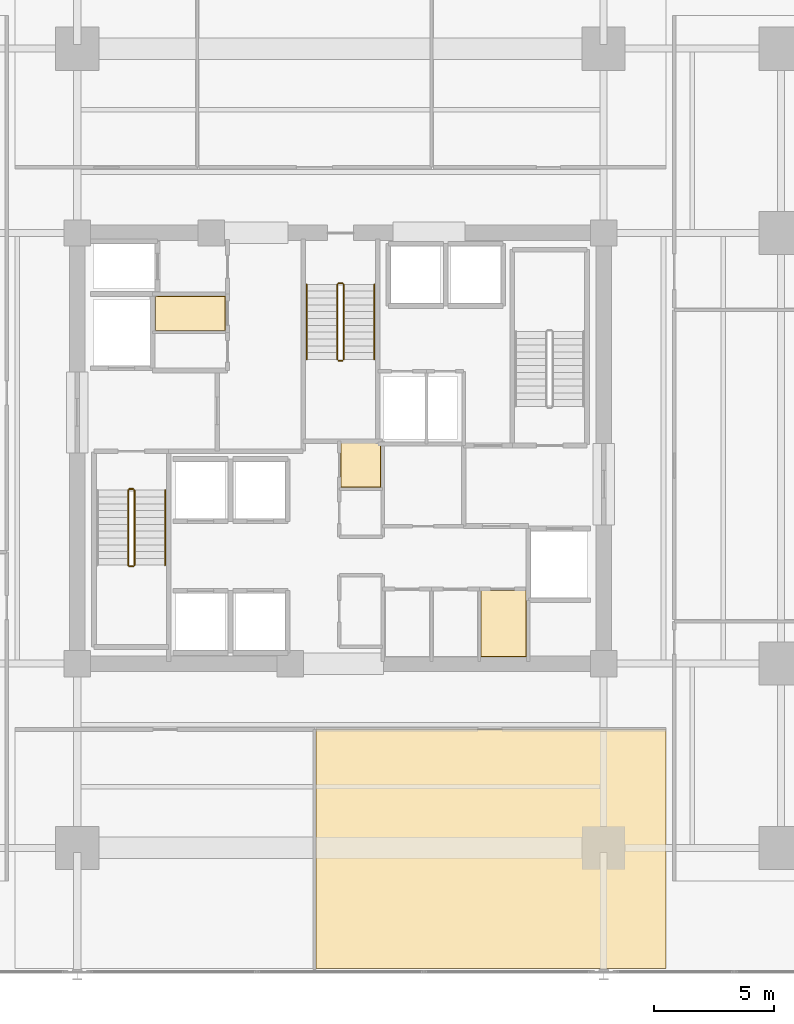
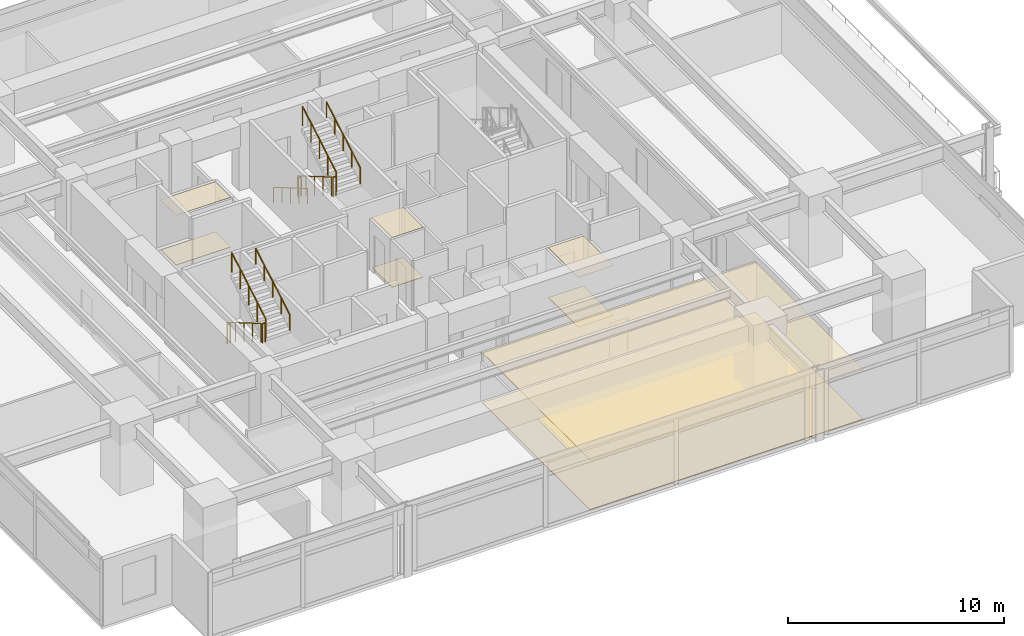
# One storey, part 18 of 20: 11 railings, 8 coverings.
"""IFC4 building model written with IfcOpenShell, lengths in metres."""

from ifc_helpers import new_model, si_unit, direction, frame, origin, origin_2d, place, context, subcontext, project, spatial, polyline, circle, outline, extrude, material, layer, layer_set, type_object, element, save


model = new_model("IFC4")

# Units and contexts
model_context = context("Model", 3, precision=1e-05, world=origin(), true_north=direction((0.0, 1.0)))
body_context = subcontext(model_context, "Body", "Model", "MODEL_VIEW")
ifc_project = project(units=[si_unit("LENGTHUNIT", "METRE"), si_unit("AREAUNIT", "SQUARE_METRE"), si_unit("VOLUMEUNIT", "CUBIC_METRE"), si_unit("PLANEANGLEUNIT", "RADIAN"), si_unit("MASSUNIT", "GRAM", prefix="KILO")], contexts=[model_context])

# Site, building, storey
site_placement = place(None, origin())
site = spatial("IfcSite", under=ifc_project, at=site_placement, CompositionType="ELEMENT")
building_placement = place(site_placement, origin())
building = spatial("IfcBuilding", under=site, at=building_placement, Name="Kovane Verandah Tower", CompositionType="ELEMENT")
storey_placement = place(building_placement, frame((0.0, 0.0, 39.60009765625)))
storey = spatial("IfcBuildingStorey", under=building, at=storey_placement, Name="L08", CompositionType="ELEMENT", Elevation=39.60009765625)

# Coverings
ifc_material_1 = material(Name="Perforated Acoustic Mineral-Fibre Ceiling Tile", Category="gypsum")
ifc_layer_1 = layer(ifc_material_1, 0.02490234375)
ifc_layer_set_1 = layer_set([ifc_layer_1], Name="Perforated Acoustic Mineral-Fibre Ceiling Tile")
covering_type_1 = type_object("IfcCoveringType", Name="CV-CEIL-25", PredefinedType="CEILING", material=ifc_layer_set_1)
covering_1_placement = place(storey_placement, frame((0.0, 0.0, 2.824951171875)))
element("IfcCovering", 1, at=covering_1_placement, inside=storey, type_object=covering_type_1, Name="L08 Quiet Wellness Room Acoustic Ceiling", PredefinedType="CEILING", context=body_context, shape_type="SweptSolid", body=[
    extrude(outline(polyline([(45.864990234375, 18.784912109375), (47.764892578125, 18.784912109375), (47.764892578125, 21.56494140625), (45.864990234375, 21.56494140625), (45.864990234375, 18.784912109375)])), origin(), (0.0, 0.0, 1.0), 0.02490234375),
])
covering_2_placement = place(storey_placement, frame((0.0, 0.0, 2.824951171875)))
element("IfcCovering", 2, at=covering_2_placement, inside=storey, type_object=covering_type_1, Name="L08 North-West First Aid Room Acoustic Ceiling", PredefinedType="CEILING", context=body_context, shape_type="SweptSolid", body=[
    extrude(outline(polyline([(32.264892578125, 32.4150390625), (35.195068359375, 32.4150390625), (35.195068359375, 33.864990234375), (32.264892578125, 33.864990234375), (32.264892578125, 32.4150390625)])), origin(), (0.0, 0.0, 1.0), 0.02490234375),
])
covering_3_placement = place(storey_placement, frame((0.0, 0.0, 2.824951171875)))
element("IfcCovering", 3, at=covering_3_placement, inside=storey, type_object=covering_type_1, Name="L08 Central First Aid and Wellness Room Acoustic Ceiling", PredefinedType="CEILING", context=body_context, shape_type="SweptSolid", body=[
    extrude(outline(polyline([(40.0048828125, 25.864990234375), (41.695068359375, 25.864990234375), (41.695068359375, 27.735107421875), (40.0048828125, 27.735107421875), (40.0048828125, 25.864990234375)])), origin(), (0.0, 0.0, 1.0), 0.02490234375),
])
covering_4_placement = place(storey_placement, frame((0.0, 0.0, 2.824951171875)))
element("IfcCovering", 4, at=covering_4_placement, inside=storey, type_object=covering_type_1, Name="L08 Breakout Pantry S2 Acoustic Ceiling", PredefinedType="CEILING", context=body_context, shape_type="SweptSolid", body=[
    extrude(outline(polyline([(38.98193359375, 5.767822265625), (53.60009765625, 5.767822265625), (53.60009765625, 15.75), (38.98193359375, 15.75), (38.98193359375, 5.767822265625)])), origin(), (0.0, 0.0, 1.0), 0.02490234375),
])
ifc_material_2 = material(Name="Polished Terrazzo and Raised-Access Carpet Tile Finish", Category="concrete")
ifc_layer_2 = layer(ifc_material_2, 0.030029296875)
ifc_layer_set_2 = layer_set([ifc_layer_2], Name="Polished Terrazzo and Raised-Access Carpet Tile Finish")
covering_type_2 = type_object("IfcCoveringType", Name="CV-FLOR-30", PredefinedType="FLOORING", material=ifc_layer_set_2)
covering_5_placement = place(storey_placement, origin())
element("IfcCovering", 5, at=covering_5_placement, inside=storey, type_object=covering_type_2, Name="L08 Quiet Wellness Room Floor Finish", PredefinedType="FLOORING", context=body_context, shape_type="SweptSolid", body=[
    extrude(outline(polyline([(45.8798828125, 18.800048828125), (47.75, 18.800048828125), (47.75, 21.550048828125), (45.8798828125, 21.550048828125), (45.8798828125, 18.800048828125)])), origin(), (0.0, 0.0, 1.0), 0.02978515625),
])
covering_6_placement = place(storey_placement, origin())
element("IfcCovering", 6, at=covering_6_placement, inside=storey, type_object=covering_type_2, Name="L08 North-West First Aid Room Floor Finish", PredefinedType="FLOORING", context=body_context, shape_type="SweptSolid", body=[
    extrude(outline(polyline([(32.280029296875, 32.429931640625), (35.179931640625, 32.429931640625), (35.179931640625, 33.85009765625), (32.280029296875, 33.85009765625), (32.280029296875, 32.429931640625)])), origin(), (0.0, 0.0, 1.0), 0.02978515625),
])
covering_7_placement = place(storey_placement, origin())
element("IfcCovering", 7, at=covering_7_placement, inside=storey, type_object=covering_type_2, Name="L08 Central First Aid and Wellness Room Floor Finish", PredefinedType="FLOORING", context=body_context, shape_type="SweptSolid", body=[
    extrude(outline(polyline([(40.02001953125, 25.8798828125), (41.679931640625, 25.8798828125), (41.679931640625, 27.719970703125), (40.02001953125, 27.719970703125), (40.02001953125, 25.8798828125)])), origin(), (0.0, 0.0, 1.0), 0.02978515625),
])
covering_8_placement = place(storey_placement, origin())
element("IfcCovering", 8, at=covering_8_placement, inside=storey, type_object=covering_type_2, Name="L08 Breakout Pantry S2 Floor Finish", PredefinedType="FLOORING", context=body_context, shape_type="SweptSolid", body=[
    extrude(outline(polyline([(38.98193359375, 5.767822265625), (53.60009765625, 5.767822265625), (53.60009765625, 15.75), (38.98193359375, 15.75), (38.98193359375, 5.767822265625)])), origin(), (0.0, 0.0, 1.0), 0.02978515625),
])

# Railings
ifc_material_3 = material(Name="Brushed Stainless Steel Handrail", Category="steel")
railing_type_1 = type_object("IfcRailingType", Name="RL-HAND-920", PredefinedType="HANDRAIL", material=ifc_material_3)
railing_1_placement = place(storey_placement, frame((32.669921875, 22.614990234375, 2.16650390625)))
element("IfcRailing", 9, at=railing_1_placement, inside=storey, type_object=railing_type_1, Name="L08 ST-01 stair handrail 2", PredefinedType="HANDRAIL", context=body_context, shape_type="SweptSolid", body=[
    extrude(circle(Radius=0.02392578125, at=origin_2d()), frame((0.0, 0.0, 0.8759765625), z_axis=(0.0, 0.863210265497, 0.504844567704), x_axis=(-1.0, 0.0, 0.0)), (0.0, 0.0, 1.0), 3.6318359375),
    extrude(circle(Radius=0.02099609375, at=origin_2d()), origin(), (0.0, 0.0, 1.0), 0.851806640625),
    extrude(circle(Radius=0.02099609375, at=origin_2d()), frame((0.0, 0.78369140625, 0.45849609375)), (0.0, 0.0, 1.0), 0.851806640625),
    extrude(circle(Radius=0.02099609375, at=origin_2d()), frame((0.0, 1.5673828125, 0.916748046875)), (0.0, 0.0, 1.0), 0.851806640625),
    extrude(circle(Radius=0.02099609375, at=origin_2d()), frame((0.0, 2.351318359375, 1.375)), (0.0, 0.0, 1.0), 0.851806640625),
    extrude(circle(Radius=0.02099609375, at=origin_2d()), frame((0.0, 3.135009765625, 1.83349609375)), (0.0, 0.0, 1.0), 0.851806640625),
])
railing_2_placement = place(storey_placement, frame((38.590087890625, 34.35009765625, 0.16650390625)))
element("IfcRailing", 10, at=railing_2_placement, inside=storey, type_object=railing_type_1, Name="L08 ST-03 stair handrail 1", PredefinedType="HANDRAIL", context=body_context, shape_type="SweptSolid", body=[
    extrude(circle(Radius=0.02392578125, at=origin_2d()), frame((0.0, 0.0, 0.8759765625), z_axis=(0.0, -0.863210265497, 0.504844567704), x_axis=(1.0, 0.0, 0.0)), (0.0, 0.0, 1.0), 3.6318359375),
    extrude(circle(Radius=0.02099609375, at=origin_2d()), origin(), (0.0, 0.0, 1.0), 0.851806640625),
    extrude(circle(Radius=0.02099609375, at=origin_2d()), frame((0.0, -0.78369140625, 0.45849609375)), (0.0, 0.0, 1.0), 0.851806640625),
    extrude(circle(Radius=0.02099609375, at=origin_2d()), frame((0.0, -1.5673828125, 0.916748046875)), (0.0, 0.0, 1.0), 0.851806640625),
    extrude(circle(Radius=0.02099609375, at=origin_2d()), frame((0.0, -2.351318359375, 1.375)), (0.0, 0.0, 1.0), 0.851806640625),
    extrude(circle(Radius=0.02099609375, at=origin_2d()), frame((0.0, -3.135009765625, 1.83349609375)), (0.0, 0.0, 1.0), 0.851806640625),
])
railing_3_placement = place(storey_placement, frame((41.409912109375, 31.215087890625, 2.16650390625)))
element("IfcRailing", 11, at=railing_3_placement, inside=storey, type_object=railing_type_1, Name="L08 ST-03 stair handrail 2", PredefinedType="HANDRAIL", context=body_context, shape_type="SweptSolid", body=[
    extrude(circle(Radius=0.02392578125, at=origin_2d()), frame((0.0, 0.0, 0.8759765625), z_axis=(0.0, 0.863210265497, 0.504844567704), x_axis=(-1.0, 0.0, 0.0)), (0.0, 0.0, 1.0), 3.6318359375),
    extrude(circle(Radius=0.02099609375, at=origin_2d()), origin(), (0.0, 0.0, 1.0), 0.851806640625),
    extrude(circle(Radius=0.02099609375, at=origin_2d()), frame((0.0, 0.78369140625, 0.45849609375)), (0.0, 0.0, 1.0), 0.851806640625),
    extrude(circle(Radius=0.02099609375, at=origin_2d()), frame((0.0, 1.5673828125, 0.916748046875)), (0.0, 0.0, 1.0), 0.851806640625),
    extrude(circle(Radius=0.02099609375, at=origin_2d()), frame((0.0, 2.351318359375, 1.375)), (0.0, 0.0, 1.0), 0.851806640625),
    extrude(circle(Radius=0.02099609375, at=origin_2d()), frame((0.0, 3.135009765625, 1.83349609375)), (0.0, 0.0, 1.0), 0.851806640625),
])
ifc_material_4 = material(Name="Painted Steel Stairwell Guardrail", Category="steel")
railing_type_2 = type_object("IfcRailingType", Name="RL-STGUARD-1120", PredefinedType="GUARDRAIL", material=ifc_material_4)
railing_4_placement = place(storey_placement, frame((31.1298828125, 25.75, 0.16650390625)))
element("IfcRailing", 12, at=railing_4_placement, inside=storey, type_object=railing_type_2, Name="L08 ST-01 stair guard 1", PredefinedType="GUARDRAIL", context=body_context, shape_type="SweptSolid", body=[
    extrude(circle(Radius=0.02392578125, at=origin_2d()), frame((0.0, 0.0, 1.076171875), z_axis=(0.0, -0.863210265497, 0.504844567704), x_axis=(1.0, 0.0, 0.0)), (0.0, 0.0, 1.0), 3.6318359375),
    extrude(circle(Radius=0.02099609375, at=origin_2d()), origin(), (0.0, 0.0, 1.0), 1.052001953125),
    extrude(circle(Radius=0.02099609375, at=origin_2d()), frame((0.0, -0.78369140625, 0.45849609375)), (0.0, 0.0, 1.0), 1.052001953125),
    extrude(circle(Radius=0.02099609375, at=origin_2d()), frame((0.0, -1.5673828125, 0.916748046875)), (0.0, 0.0, 1.0), 1.052001953125),
    extrude(circle(Radius=0.02099609375, at=origin_2d()), frame((0.0, -2.351318359375, 1.375)), (0.0, 0.0, 1.0), 1.052001953125),
    extrude(circle(Radius=0.02099609375, at=origin_2d()), frame((0.0, -3.135009765625, 1.83349609375)), (0.0, 0.0, 1.0), 1.052001953125),
])
railing_5_placement = place(storey_placement, frame((31.179931640625, 22.56494140625, 2.0)))
element("IfcRailing", 13, at=railing_5_placement, inside=storey, type_object=railing_type_2, Name="L08 ST-01 stair guard 2", PredefinedType="GUARDRAIL", context=body_context, shape_type="SweptSolid", body=[
    extrude(circle(Radius=0.02392578125, at=origin_2d()), frame((0.0, 0.0, 1.076171875), z_axis=(1.0, 0.0, 0.0), x_axis=(0.0, 1.0, 0.0)), (0.0, 0.0, 1.0), 0.16015625),
    extrude(circle(Radius=0.02099609375, at=origin_2d()), origin(), (0.0, 0.0, 1.0), 1.052001953125),
    extrude(circle(Radius=0.02099609375, at=origin_2d()), frame((0.16015625, 0.0, 0.0)), (0.0, 0.0, 1.0), 1.052001953125),
])
railing_6_placement = place(storey_placement, frame((31.389892578125, 22.614990234375, 2.16650390625)))
element("IfcRailing", 14, at=railing_6_placement, inside=storey, type_object=railing_type_2, Name="L08 ST-01 stair guard 3", PredefinedType="GUARDRAIL", context=body_context, shape_type="SweptSolid", body=[
    extrude(circle(Radius=0.02392578125, at=origin_2d()), frame((0.0, 0.0, 1.076171875), z_axis=(0.0, 0.863210265497, 0.504844567704), x_axis=(-1.0, 0.0, 0.0)), (0.0, 0.0, 1.0), 3.6318359375),
    extrude(circle(Radius=0.02099609375, at=origin_2d()), origin(), (0.0, 0.0, 1.0), 1.052001953125),
    extrude(circle(Radius=0.02099609375, at=origin_2d()), frame((0.0, 0.78369140625, 0.45849609375)), (0.0, 0.0, 1.0), 1.052001953125),
    extrude(circle(Radius=0.02099609375, at=origin_2d()), frame((0.0, 1.5673828125, 0.916748046875)), (0.0, 0.0, 1.0), 1.052001953125),
    extrude(circle(Radius=0.02099609375, at=origin_2d()), frame((0.0, 2.351318359375, 1.375)), (0.0, 0.0, 1.0), 1.052001953125),
    extrude(circle(Radius=0.02099609375, at=origin_2d()), frame((0.0, 3.135009765625, 1.83349609375)), (0.0, 0.0, 1.0), 1.052001953125),
])
railing_7_placement = place(storey_placement, frame((31.179931640625, 25.800048828125, 0.0)))
element("IfcRailing", 15, at=railing_7_placement, inside=storey, type_object=railing_type_2, Name="L08 ST-01 stair guard 4", PredefinedType="GUARDRAIL", context=body_context, shape_type="SweptSolid", body=[
    extrude(circle(Radius=0.02392578125, at=origin_2d()), frame((0.0, 0.0, 1.076171875), z_axis=(1.0, 0.0, 0.0), x_axis=(0.0, 1.0, 0.0)), (0.0, 0.0, 1.0), 0.16015625),
    extrude(circle(Radius=0.02099609375, at=origin_2d()), origin(), (0.0, 0.0, 1.0), 1.052001953125),
    extrude(circle(Radius=0.02099609375, at=origin_2d()), frame((0.16015625, 0.0, 0.0)), (0.0, 0.0, 1.0), 1.052001953125),
])
railing_8_placement = place(storey_placement, frame((39.8701171875, 34.35009765625, 0.16650390625)))
element("IfcRailing", 16, at=railing_8_placement, inside=storey, type_object=railing_type_2, Name="L08 ST-03 stair guard 1", PredefinedType="GUARDRAIL", context=body_context, shape_type="SweptSolid", body=[
    extrude(circle(Radius=0.02392578125, at=origin_2d()), frame((0.0, 0.0, 1.076171875), z_axis=(0.0, -0.863210265497, 0.504844567704), x_axis=(1.0, 0.0, 0.0)), (0.0, 0.0, 1.0), 3.6318359375),
    extrude(circle(Radius=0.02099609375, at=origin_2d()), origin(), (0.0, 0.0, 1.0), 1.052001953125),
    extrude(circle(Radius=0.02099609375, at=origin_2d()), frame((0.0, -0.78369140625, 0.45849609375)), (0.0, 0.0, 1.0), 1.052001953125),
    extrude(circle(Radius=0.02099609375, at=origin_2d()), frame((0.0, -1.5673828125, 0.916748046875)), (0.0, 0.0, 1.0), 1.052001953125),
    extrude(circle(Radius=0.02099609375, at=origin_2d()), frame((0.0, -2.351318359375, 1.375)), (0.0, 0.0, 1.0), 1.052001953125),
    extrude(circle(Radius=0.02099609375, at=origin_2d()), frame((0.0, -3.135009765625, 1.83349609375)), (0.0, 0.0, 1.0), 1.052001953125),
])
railing_9_placement = place(storey_placement, frame((39.919921875, 31.1650390625, 2.0)))
element("IfcRailing", 17, at=railing_9_placement, inside=storey, type_object=railing_type_2, Name="L08 ST-03 stair guard 2", PredefinedType="GUARDRAIL", context=body_context, shape_type="SweptSolid", body=[
    extrude(circle(Radius=0.02392578125, at=origin_2d()), frame((0.0, 0.0, 1.076171875), z_axis=(1.0, 0.0, 0.0), x_axis=(0.0, 1.0, 0.0)), (0.0, 0.0, 1.0), 0.16015625),
    extrude(circle(Radius=0.02099609375, at=origin_2d()), origin(), (0.0, 0.0, 1.0), 1.052001953125),
    extrude(circle(Radius=0.02099609375, at=origin_2d()), frame((0.16015625, 0.0, 0.0)), (0.0, 0.0, 1.0), 1.052001953125),
])
railing_10_placement = place(storey_placement, frame((40.1298828125, 31.215087890625, 2.16650390625)))
element("IfcRailing", 18, at=railing_10_placement, inside=storey, type_object=railing_type_2, Name="L08 ST-03 stair guard 3", PredefinedType="GUARDRAIL", context=body_context, shape_type="SweptSolid", body=[
    extrude(circle(Radius=0.02392578125, at=origin_2d()), frame((0.0, 0.0, 1.076171875), z_axis=(0.0, 0.863210265497, 0.504844567704), x_axis=(-1.0, 0.0, 0.0)), (0.0, 0.0, 1.0), 3.6318359375),
    extrude(circle(Radius=0.02099609375, at=origin_2d()), origin(), (0.0, 0.0, 1.0), 1.052001953125),
    extrude(circle(Radius=0.02099609375, at=origin_2d()), frame((0.0, 0.78369140625, 0.45849609375)), (0.0, 0.0, 1.0), 1.052001953125),
    extrude(circle(Radius=0.02099609375, at=origin_2d()), frame((0.0, 1.5673828125, 0.916748046875)), (0.0, 0.0, 1.0), 1.052001953125),
    extrude(circle(Radius=0.02099609375, at=origin_2d()), frame((0.0, 2.351318359375, 1.375)), (0.0, 0.0, 1.0), 1.052001953125),
    extrude(circle(Radius=0.02099609375, at=origin_2d()), frame((0.0, 3.135009765625, 1.83349609375)), (0.0, 0.0, 1.0), 1.052001953125),
])
railing_11_placement = place(storey_placement, frame((39.919921875, 34.39990234375, 0.0)))
element("IfcRailing", 19, at=railing_11_placement, inside=storey, type_object=railing_type_2, Name="L08 ST-03 stair guard 4", PredefinedType="GUARDRAIL", context=body_context, shape_type="SweptSolid", body=[
    extrude(circle(Radius=0.02392578125, at=origin_2d()), frame((0.0, 0.0, 1.076171875), z_axis=(1.0, 0.0, 0.0), x_axis=(0.0, 1.0, 0.0)), (0.0, 0.0, 1.0), 0.16015625),
    extrude(circle(Radius=0.02099609375, at=origin_2d()), origin(), (0.0, 0.0, 1.0), 1.052001953125),
    extrude(circle(Radius=0.02099609375, at=origin_2d()), frame((0.16015625, 0.0, 0.0)), (0.0, 0.0, 1.0), 1.052001953125),
])

save(model, "model.ifc")
